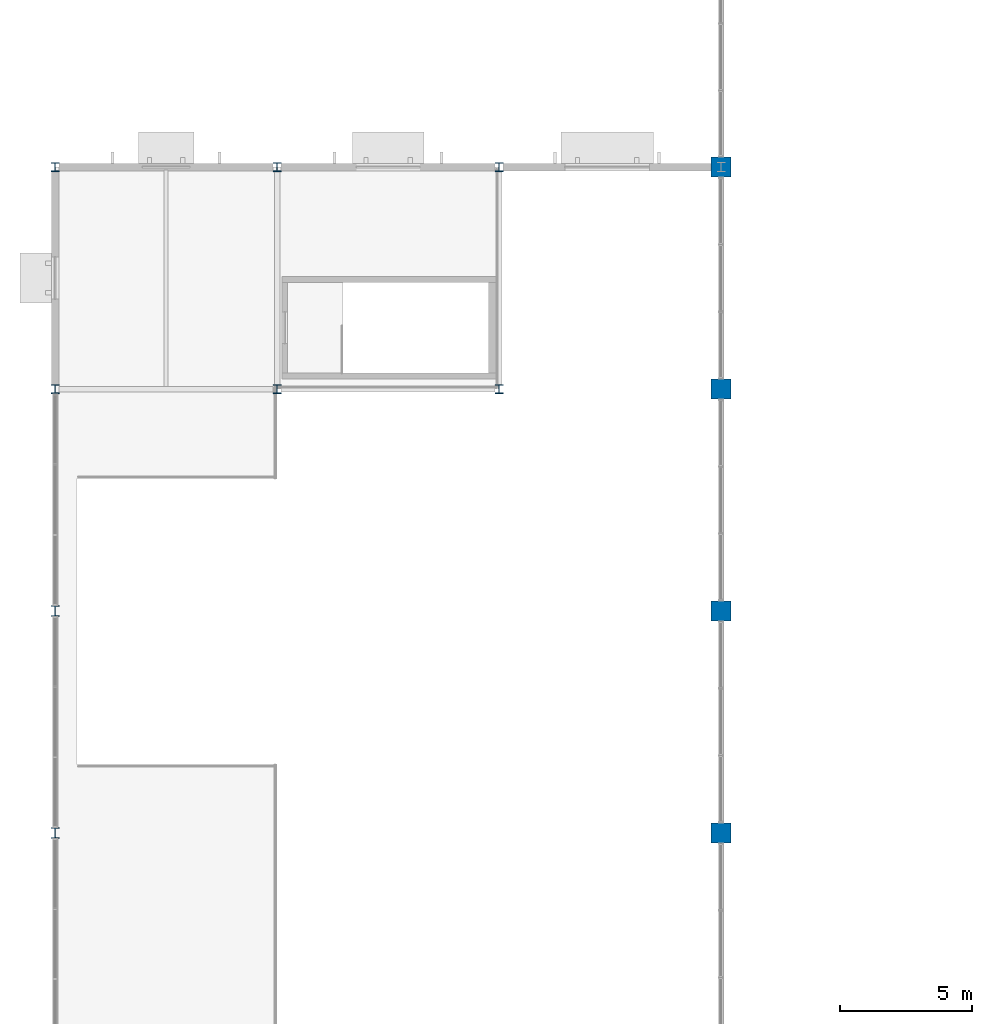
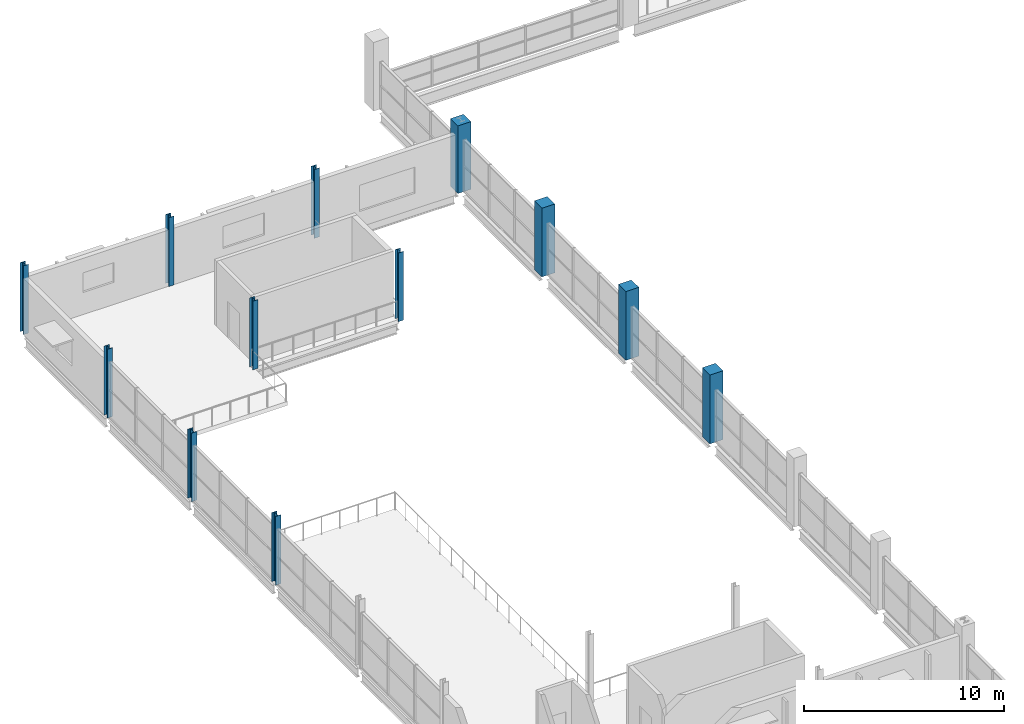
# One storey, part 3 of 68: 12 columns.
"""IFC4 building model written with IfcOpenShell, lengths in metres."""

from ifc_helpers import new_model, si_unit, direction, frame, origin, origin_2d, place, context, subcontext, project, spatial, rectangle, i_section, extrude, material, material_profile, profile_set, type_object, element, save


model = new_model("IFC4")

# Units and contexts
model_context = context("Model", 3, precision=1e-05, world=origin(), true_north=direction((0.0, 1.0)))
body_context = subcontext(model_context, "Body", "Model", "MODEL_VIEW")
ifc_project = project(units=[si_unit("LENGTHUNIT", "METRE"), si_unit("AREAUNIT", "SQUARE_METRE"), si_unit("VOLUMEUNIT", "CUBIC_METRE"), si_unit("PLANEANGLEUNIT", "RADIAN"), si_unit("MASSUNIT", "GRAM", prefix="KILO"), si_unit("THERMODYNAMICTEMPERATUREUNIT", "KELVIN")], contexts=[model_context])

# Site, building, storey
site_placement = place(None, origin())
site = spatial("IfcSite", under=ifc_project, at=site_placement, CompositionType="ELEMENT")
building_placement = place(site_placement, origin())
building = spatial("IfcBuilding", under=site, at=building_placement, Name="Nduvali Passage Aquatics Centre", CompositionType="ELEMENT")
storey_placement = place(building_placement, frame((0.0, 0.0, 13.199951171875)))
storey = spatial("IfcBuildingStorey", under=building, at=storey_placement, Name="L03", CompositionType="ELEMENT", Elevation=13.199951171875)

# Columns
ifc_material_1 = material(Name="Steel S355", Category="steel")
ifc_material_profile_1 = material_profile(ifc_material_1, i_section(OverallWidth=0.300048828125, OverallDepth=0.340087890625, WebThickness=0.011962890625, FlangeThickness=0.021484375, FilletRadius=0.027099609375, at=origin_2d()), Name="HEB 340")
ifc_profile_set_1 = profile_set([ifc_material_profile_1], Name="Steel S355")
column_type_1 = type_object("IfcColumnType", Name="STR-COL-HEB340", PredefinedType="COLUMN", material=ifc_profile_set_1)
for number, where, z_axis, x_axis, name in (
    (1, (8.39990234375, 75.60009765625, 0.0), (0.0, 0.0, 1.0), (1.0, 0.0, 0.0), "L03 Column C7 (8.4, 75.6)"),
    (2, (16.800048828125, 75.60009765625, 0.0), (0.0, 0.0, 1.0), (1.0, 0.0, 0.0), "L03 Column C7 (16.8, 75.6)"),
):
    element("IfcColumn", number, at=place(storey_placement, frame(where, z_axis=z_axis, x_axis=x_axis)), inside=storey, type_object=column_type_1, Name=name, PredefinedType="COLUMN", context=body_context, shape_type="SweptSolid", body=[
        extrude(i_section(OverallWidth=0.300048828125, OverallDepth=0.340087890625, WebThickness=0.011962890625, FlangeThickness=0.021484375, FilletRadius=0.027099609375, at=origin_2d()), origin(), (0.0, 0.0, 1.0), 4.199951171875),
    ])
ifc_material_profile_2 = material_profile(ifc_material_1, i_section(OverallWidth=0.300048828125, OverallDepth=0.340087890625, WebThickness=0.011962890625, FlangeThickness=0.021484375, FilletRadius=0.027099609375, at=origin_2d()), Name="HEB 340")
ifc_profile_set_2 = profile_set([ifc_material_profile_2], Name="Steel S355")
column_type_2 = type_object("IfcColumnType", Name="STR-COL-HEB340-EXT", PredefinedType="COLUMN", material=ifc_profile_set_2)
for number, where, z_axis, x_axis, name in (
    (3, (0.0, 75.60009765625, 0.0), (0.0, 0.0, 1.0), (1.0, 0.0, 0.0), "L03 Column C7E (0.0, 75.6)"),
    (4, (0.0, 84.0, 0.0), (0.0, 0.0, 1.0), (1.0, 0.0, 0.0), "L03 Column C7E (0.0, 84.0)"),
    (5, (8.39990234375, 84.0, 0.0), (0.0, 0.0, 1.0), (1.0, 0.0, 0.0), "L03 Column C7E (8.4, 84.0)"),
    (6, (16.800048828125, 84.0, 0.0), (0.0, 0.0, 1.0), (1.0, 0.0, 0.0), "L03 Column C7E (16.8, 84.0)"),
):
    element("IfcColumn", number, at=place(storey_placement, frame(where, z_axis=z_axis, x_axis=x_axis)), inside=storey, type_object=column_type_2, Name=name, PredefinedType="COLUMN", context=body_context, shape_type="SweptSolid", body=[
        extrude(i_section(OverallWidth=0.300048828125, OverallDepth=0.340087890625, WebThickness=0.011962890625, FlangeThickness=0.021484375, FilletRadius=0.027099609375, at=origin_2d()), origin(), (0.0, 0.0, 1.0), 4.199951171875),
    ])
ifc_material_profile_3 = material_profile(ifc_material_1, i_section(OverallWidth=0.300048828125, OverallDepth=0.39990234375, WebThickness=0.013427734375, FlangeThickness=0.02392578125, FilletRadius=0.027099609375, at=origin_2d()), Name="HEB 400")
ifc_profile_set_3 = profile_set([ifc_material_profile_3], Name="Steel S355")
column_type_3 = type_object("IfcColumnType", Name="STR-COL-HEB400-EXT", PredefinedType="COLUMN", material=ifc_profile_set_3)
for number, where, z_axis, x_axis, name in (
    (7, (0.0, 58.800048828125, 0.0), (0.0, 0.0, 1.0), (1.0, 0.0, 0.0), "L03 Column C7AE (0.0, 58.8)"),
    (8, (0.0, 67.199951171875, 0.0), (0.0, 0.0, 1.0), (1.0, 0.0, 0.0), "L03 Column C7AE (0.0, 67.2)"),
):
    element("IfcColumn", number, at=place(storey_placement, frame(where, z_axis=z_axis, x_axis=x_axis)), inside=storey, type_object=column_type_3, Name=name, PredefinedType="COLUMN", context=body_context, shape_type="SweptSolid", body=[
        extrude(i_section(OverallWidth=0.300048828125, OverallDepth=0.39990234375, WebThickness=0.013427734375, FlangeThickness=0.02392578125, FilletRadius=0.027099609375, at=origin_2d()), origin(), (0.0, 0.0, 1.0), 4.199951171875),
    ])
ifc_material_2 = material(Name="Concrete C40/50", Category="concrete")
ifc_material_profile_4 = material_profile(ifc_material_2, rectangle(XDim=0.75, YDim=0.75, at=origin_2d()), Name="RC 750x750")
ifc_profile_set_4 = profile_set([ifc_material_profile_4], Name="Concrete C40/50")
column_type_4 = type_object("IfcColumnType", Name="STR-COL-RC750", PredefinedType="COLUMN", material=ifc_profile_set_4)
for number, where, z_axis, x_axis, name in (
    (9, (25.199951171875, 58.800048828125, 0.0), (0.0, 0.0, 1.0), (1.0, 0.0, 0.0), "L03 Column C2 (25.2, 58.8)"),
    (10, (25.199951171875, 67.199951171875, 0.0), (0.0, 0.0, 1.0), (1.0, 0.0, 0.0), "L03 Column C2 (25.2, 67.2)"),
    (11, (25.199951171875, 75.60009765625, 0.0), (0.0, 0.0, 1.0), (1.0, 0.0, 0.0), "L03 Column C2 (25.2, 75.6)"),
):
    element("IfcColumn", number, at=place(storey_placement, frame(where, z_axis=z_axis, x_axis=x_axis)), inside=storey, type_object=column_type_4, Name=name, PredefinedType="COLUMN", context=body_context, shape_type="SweptSolid", body=[
        extrude(rectangle(XDim=0.75, YDim=0.75, at=origin_2d()), origin(), (0.0, 0.0, 1.0), 4.199951171875),
    ])
column_placement = place(storey_placement, frame((25.199951171875, 84.0, 0.0), z_axis=(0.0, 0.0, 1.0), x_axis=(1.0, 0.0, 0.0)))
element("IfcColumn", 12, at=column_placement, inside=storey, type_object=column_type_4, Name="L03 Column C2 (25.2, 84.0)", PredefinedType="COLUMN", context=body_context, shape_type="SweptSolid", body=[
    extrude(rectangle(XDim=0.75, YDim=0.75, at=origin_2d()), origin(), (0.0, 0.0, 1.0), 4.1279296875),
])

save(model, "model.ifc")
